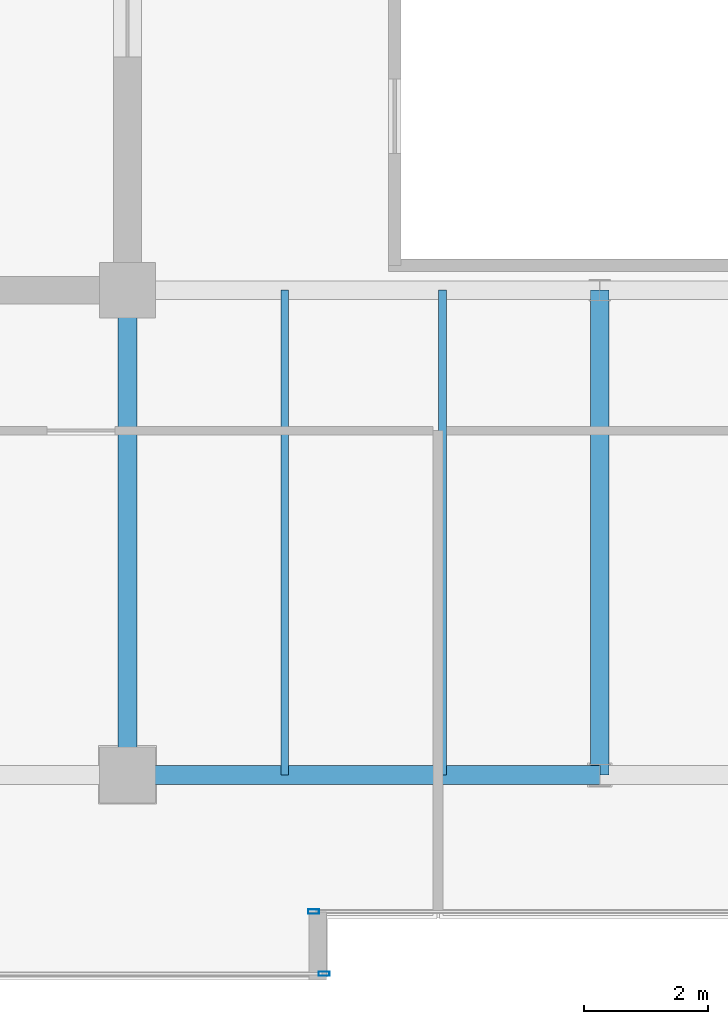
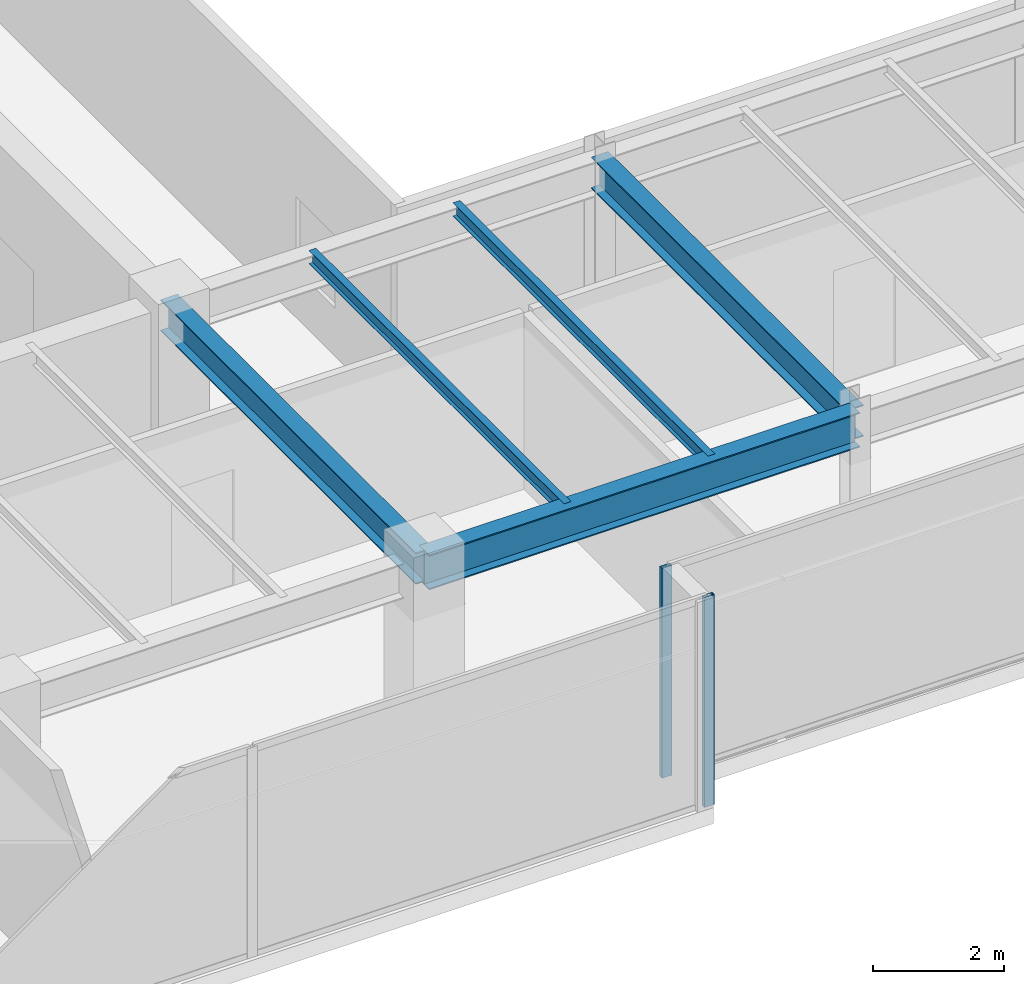
# One storey, part 7 of 34: 5 beams, 2 members, 2 elements without a shape of their own.
"""IFC4 building model written with IfcOpenShell, lengths in metres."""

import ifcopenshell
import ifcopenshell.guid

model = None  # the IFC model being written
_history = None  # IfcOwnerHistory: only IFC2X3 demands one
_inside = {}  # id of a spatial element -> (the spatial element, [elements in it])
_under = {}  # id of a project, library or spatial element -> (it, [spatial elements below it])
_declared = {}  # id of a project -> (the project, [libraries it declares])
_typed = {}  # id of a type object -> (the type object, [elements of that type])
_made_of = {}  # id of a material, layer set ... -> (it, [elements and type objects made of it])


def new_model(schema):
    """Start an empty IFC model of exactly this schema.

    Asked for "IFC4X3", IfcOpenShell would pick the latest addendum, in which some entities
    have other attributes; the version numbers below select the first issue.
    IFC2X3 requires an IfcOwnerHistory on every rooted entity: one is made here for all.
    """
    global model, _history
    if schema == "IFC4X3":
        model = ifcopenshell.file(schema_version=(4, 3, 0, 0))
    else:
        model = ifcopenshell.file(schema=schema)
    _inside.clear()
    _under.clear()
    _declared.clear()
    _typed.clear()
    _made_of.clear()
    _history = None
    if model.schema == "IFC2X3":
        org = make("IfcOrganization", Name="unknown")
        user = make(
            "IfcPersonAndOrganization",
            ThePerson=make("IfcPerson", FamilyName="unknown"),
            TheOrganization=org,
        )
        app = make(
            "IfcApplication",
            ApplicationDeveloper=org,
            Version="unknown",
            ApplicationFullName="unknown",
            ApplicationIdentifier="unknown",
        )
        _history = make(
            "IfcOwnerHistory",
            OwningUser=user,
            OwningApplication=app,
            ChangeAction="ADDED",
            CreationDate=0,
        )
    return model


def make(cls, **values):
    """One entity of the class cls with the attributes given. An attribute that is None is left unset."""
    return model.create_entity(
        cls, **{name: value for name, value in values.items() if value is not None}
    )


def rooted(cls, **values):
    """An entity with a GlobalId (a new one), such as an element, a storey or a relation."""
    return make(cls, GlobalId=ifcopenshell.guid.new(), OwnerHistory=_history, **values)


def si_unit(unit_type, name, prefix=None):
    """IfcSIUnit, for example si_unit("LENGTHUNIT", "METRE", prefix="MILLI")."""
    return make("IfcSIUnit", UnitType=unit_type, Prefix=prefix, Name=name)


def assignment(units):
    """IfcUnitAssignment: the units of a project."""
    return None if units is None else make("IfcUnitAssignment", Units=units)


def point(xyz):
    """IfcCartesianPoint."""
    return None if xyz is None else make("IfcCartesianPoint", Coordinates=xyz)


def direction(xyz):
    """IfcDirection."""
    return None if xyz is None else make("IfcDirection", DirectionRatios=xyz)


def frame(location, z_axis=None, x_axis=None):
    """IfcAxis2Placement3D, a coordinate frame: its origin and axes. An axis left out is left unset."""
    return make(
        "IfcAxis2Placement3D",
        Location=point(location),
        Axis=direction(z_axis),
        RefDirection=direction(x_axis),
    )


def frame_2d(location, x_axis=None):
    """IfcAxis2Placement2D, a coordinate frame in the plane: its origin and x axis."""
    return make(
        "IfcAxis2Placement2D", Location=point(location), RefDirection=direction(x_axis)
    )


def origin():
    """The frame at (0, 0, 0) with its axes left unset."""
    return frame((0.0, 0.0, 0.0))


def origin_2d():
    """The frame at (0, 0) in the plane with its x axis left unset."""
    return frame_2d((0.0, 0.0))


def place(relative_to, where):
    """IfcLocalPlacement: puts the frame where relative to a parent placement (None: the world)."""
    return make(
        "IfcLocalPlacement", PlacementRelTo=relative_to, RelativePlacement=where
    )


def context(
    kind, dimensions, precision=None, world=None, true_north=None, identifier=None
):
    """IfcGeometricRepresentationContext, for example the 3D "Model" context."""
    return make(
        "IfcGeometricRepresentationContext",
        ContextIdentifier=identifier,
        ContextType=kind,
        CoordinateSpaceDimension=dimensions,
        Precision=precision,
        WorldCoordinateSystem=world,
        TrueNorth=true_north,
    )


def subcontext(parent, identifier, kind, view, scale=None):
    """IfcGeometricRepresentationSubContext, for example "Body" below "Model"."""
    return make(
        "IfcGeometricRepresentationSubContext",
        ContextIdentifier=identifier,
        ContextType=kind,
        ParentContext=parent,
        TargetScale=scale,
        TargetView=view,
    )


def project(units=None, contexts=None):
    """IfcProject with its units and contexts."""
    return rooted(
        "IfcProject",
        Name="project",
        RepresentationContexts=contexts,
        UnitsInContext=assignment(units),
    )


def spatial(cls, under=None, at=None, **own):
    """A site, building, storey or space (cls), placed at a placement, below another one or the project."""
    s = rooted(cls, ObjectPlacement=at, **own)
    if under is not None:
        _under.setdefault(under.id(), (under, []))[1].append(s)
    return s


def profile(cls, at=None, kind="AREA", **sizes):
    """A parametric profile (cls). Its sizes go by their IFC names, for example OverallWidth=200.0."""
    return make(cls, ProfileType=kind, Position=at, **sizes)


def hollow_rectangle(**sizes):
    """IfcRectangleHollowProfileDef."""
    return profile("IfcRectangleHollowProfileDef", **sizes)


def i_section(**sizes):
    """IfcIShapeProfileDef."""
    return profile("IfcIShapeProfileDef", **sizes)


def extrude(swept, where, along, depth):
    """IfcExtrudedAreaSolid: the profile swept, set in the frame where, extruded along a direction by depth."""
    return make(
        "IfcExtrudedAreaSolid",
        SweptArea=swept,
        Position=where,
        ExtrudedDirection=direction(along),
        Depth=depth,
    )


def shape(context_of_items, identifier, shape_type, items):
    """IfcShapeRepresentation: the items that make up one representation, for example the "Body"."""
    return make(
        "IfcShapeRepresentation",
        ContextOfItems=context_of_items,
        RepresentationIdentifier=identifier,
        RepresentationType=shape_type,
        Items=items,
    )


def source(mapping_origin, context_of_items, identifier, shape_type, items):
    """IfcRepresentationMap: a shape defined once, which mapped items show again and again."""
    return make(
        "IfcRepresentationMap",
        MappingOrigin=mapping_origin,
        MappedRepresentation=shape(context_of_items, identifier, shape_type, items),
    )


def transform(
    local_origin,
    x_axis=None,
    y_axis=None,
    z_axis=None,
    scale=None,
    scale2=None,
    scale3=None,
    uniform=True,
):
    """IfcCartesianTransformationOperator3D, or its non-uniform kind. x_axis, y_axis, z_axis: its Axis1, 2, 3."""
    if uniform:
        return make(
            "IfcCartesianTransformationOperator3D",
            Axis1=direction(x_axis),
            Axis2=direction(y_axis),
            LocalOrigin=point(local_origin),
            Scale=scale,
            Axis3=direction(z_axis),
        )
    return make(
        "IfcCartesianTransformationOperator3DnonUniform",
        Axis1=direction(x_axis),
        Axis2=direction(y_axis),
        LocalOrigin=point(local_origin),
        Scale=scale,
        Axis3=direction(z_axis),
        Scale2=scale2,
        Scale3=scale3,
    )


def mapped(mapping_source, mapping_target):
    """IfcMappedItem: shows the shape of a source again, moved by a transform."""
    return make(
        "IfcMappedItem", MappingSource=mapping_source, MappingTarget=mapping_target
    )


def material(Name=None, Category=None):
    """IfcMaterial."""
    return make("IfcMaterial", Name=Name, Category=Category)


def layer(
    of_material, thickness, ventilated=None, Name=None, Category=None, Priority=None
):
    """IfcMaterialLayer: one layer of a wall or slab, of a material (None: an air gap)."""
    return make(
        "IfcMaterialLayer",
        Material=of_material,
        LayerThickness=thickness,
        IsVentilated=ventilated,
        Name=Name,
        Category=Category,
        Priority=Priority,
    )


def layer_set(layers, Name=None):
    """IfcMaterialLayerSet."""
    return make("IfcMaterialLayerSet", MaterialLayers=layers, LayerSetName=Name)


def material_profile(
    of_material, cross_section, Name=None, Category=None, Priority=None
):
    """IfcMaterialProfile: a cross section and its material."""
    return make(
        "IfcMaterialProfile",
        Name=Name,
        Material=of_material,
        Profile=cross_section,
        Priority=Priority,
        Category=Category,
    )


def profile_set(profiles, Name=None, composite=None):
    """IfcMaterialProfileSet."""
    return make(
        "IfcMaterialProfileSet",
        Name=Name,
        MaterialProfiles=profiles,
        CompositeProfile=composite,
    )


def made_of(thing, what):
    """Note that an element or type object is made of a material, layer set ...; save() writes the relation."""
    if what is not None:
        _made_of.setdefault(what.id(), (what, []))[1].append(thing)
    return thing


def type_object(cls, material=None, **own):
    """A type object (cls), such as IfcWallType, which elements share."""
    return made_of(rooted(cls, **own), material)


def type_shapes(of_type, sources):
    """Give a type object the sources (RepresentationMaps) that its elements show as mapped items."""
    of_type.RepresentationMaps = sources


def element(
    cls,
    number,
    at=None,
    inside=None,
    cuts=None,
    type_object=None,
    material=None,
    context=None,
    identifier="Body",
    shape_type=None,
    held_by="IfcProductDefinitionShape",
    body=None,
    shapes=None,
    **own,
):
    """One element of the class cls, such as IfcWall. Its Tag is "e" and its number.

    at: its placement. inside: the storey or other place that contains it. cuts: it is an
    opening in that element (IfcRelVoidsElement). A single representation is given by context,
    identifier, shape_type and body (its items); several are given by shapes. held_by: the class
    of the entity that holds the representations. save() writes the other relations.
    """
    e = rooted(cls, Tag="e%d" % number, ObjectPlacement=at, **own)
    if body is not None:
        shapes = [shape(context, identifier, shape_type, body)]
    if shapes is not None:
        e.Representation = make(held_by, Representations=shapes)
    if inside is not None:
        _inside.setdefault(inside.id(), (inside, []))[1].append(e)
    if cuts is not None:
        rooted(
            "IfcRelVoidsElement", RelatingBuildingElement=cuts, RelatedOpeningElement=e
        )
    if type_object is not None:
        _typed.setdefault(type_object.id(), (type_object, []))[1].append(e)
    return made_of(e, material)


def aggregate(whole, parts):
    """IfcRelAggregates: a whole, such as a stair, and the parts it consists of."""
    return rooted("IfcRelAggregates", RelatingObject=whole, RelatedObjects=parts)


def save(model, path):
    """Write the relations noted so far, then the file.

    IfcRelAggregates (storeys below a building ...), IfcRelContainedInSpatialStructure (elements
    in a storey), IfcRelDefinesByType, IfcRelAssociatesMaterial and IfcRelDeclares: one each for
    every whole, place, type object, material and project.
    """
    for whole, parts in _under.values():
        aggregate(whole, parts)
    for where, things in _inside.values():
        rooted(
            "IfcRelContainedInSpatialStructure",
            RelatedElements=things,
            RelatingStructure=where,
        )
    for kind, things in _typed.values():
        rooted("IfcRelDefinesByType", RelatedObjects=things, RelatingType=kind)
    for what, things in _made_of.values():
        rooted("IfcRelAssociatesMaterial", RelatedObjects=things, RelatingMaterial=what)
    for by, libraries in _declared.values():
        rooted("IfcRelDeclares", RelatingContext=by, RelatedDefinitions=libraries)
    model.write(path)


model = new_model("IFC4")

# Units and contexts
model_context = context("Model", 3, precision=1e-05, world=origin(), true_north=direction((0.0, 1.0)))
body_context = subcontext(model_context, "Body", "Model", "MODEL_VIEW")
ifc_project = project(units=[si_unit("LENGTHUNIT", "METRE"), si_unit("AREAUNIT", "SQUARE_METRE"), si_unit("VOLUMEUNIT", "CUBIC_METRE"), si_unit("PLANEANGLEUNIT", "RADIAN"), si_unit("MASSUNIT", "GRAM", prefix="KILO")], contexts=[model_context])

# Site, building, storey
site_placement = place(None, origin())
site = spatial("IfcSite", under=ifc_project, at=site_placement, CompositionType="ELEMENT")
building_placement = place(site_placement, origin())
building = spatial("IfcBuilding", under=site, at=building_placement, Name="Haelvirn Gate Laboratories", CompositionType="ELEMENT")
storey_placement = place(building_placement, frame((0.0, 0.0, 322.800048828125)))
storey = spatial("IfcBuildingStorey", under=building, at=storey_placement, Name="L77", CompositionType="ELEMENT", Elevation=322.800048828125)

# Beams
ifc_material_1 = material(Name="Steel SM355", Category="steel")
ifc_material_profile_1 = material_profile(ifc_material_1, i_section(OverallWidth=0.300048828125, OverallDepth=0.587890625, WebThickness=0.011962890625, FlangeThickness=0.02001953125, at=origin_2d()), Name="H-588x300x12x20")
ifc_profile_set_1 = profile_set([ifc_material_profile_1], Name="Steel SM355")
beam_type_1 = type_object("IfcBeamType", Name="BM-G-588", PredefinedType="BEAM", material=ifc_profile_set_1)
shared_shape_1 = source(origin(), body_context, "Body", "SweptSolid", [
    extrude(i_section(OverallWidth=0.300048828125, OverallDepth=0.587890625, WebThickness=0.011962890625, FlangeThickness=0.02001953125, at=origin_2d()), origin(), (0.0, 0.0, 1.0), 7.800048828125),
])
type_shapes(beam_type_1, [shared_shape_1])
for number, where, z_axis, x_axis, name in (
    (1, (22.199951171875, 7.0, 3.6259765625), (0.0, 1.0, 0.0), (-1.0, 0.0, 0.0), "L77 Frame Girder X22.2 (7.0-14.8)"),
    (2, (29.800048828125, 7.0, 3.6259765625), (0.0, 1.0, 0.0), (-1.0, 0.0, 0.0), "L77 Frame Girder X29.8 (7.0-14.8)"),
):
    element("IfcBeam", number, at=place(storey_placement, frame(where, z_axis=z_axis, x_axis=x_axis)), inside=storey, type_object=beam_type_1, Name=name, PredefinedType="BEAM", context=body_context, shape_type="MappedRepresentation", body=[
        mapped(shared_shape_1, transform((0.0, 0.0, 0.0), scale=1.0)),
    ])
ifc_material_profile_2 = material_profile(ifc_material_1, i_section(OverallWidth=0.300048828125, OverallDepth=0.64990234375, WebThickness=0.012939453125, FlangeThickness=0.02197265625, at=origin_2d()), Name="H-650x300x13x22")
ifc_profile_set_2 = profile_set([ifc_material_profile_2], Name="Steel SM355")
beam_type_2 = type_object("IfcBeamType", Name="BM-G-650", PredefinedType="BEAM", material=ifc_profile_set_2)
shared_shape_2 = source(origin(), body_context, "Body", "SweptSolid", [
    extrude(i_section(OverallWidth=0.300048828125, OverallDepth=0.64990234375, WebThickness=0.012939453125, FlangeThickness=0.02197265625, at=origin_2d()), origin(), (0.0, 0.0, 1.0), 7.60009765625),
])
type_shapes(beam_type_2, [shared_shape_2])
beam_placement = place(storey_placement, frame((22.199951171875, 7.0, 3.594970703125), z_axis=(1.0, 0.0, 0.0), x_axis=(0.0, 1.0, 0.0)))
element("IfcBeam", 3, at=beam_placement, inside=storey, type_object=beam_type_2, Name="L77 Primary Girder Y7.0 (22.2-29.8)", PredefinedType="BEAM", context=body_context, shape_type="MappedRepresentation", body=[
    mapped(shared_shape_2, transform((0.0, 0.0, 0.0), scale=1.0)),
])
ifc_material_profile_3 = material_profile(ifc_material_1, i_section(OverallWidth=0.125, OverallDepth=0.25, WebThickness=0.006103515625, FlangeThickness=0.009033203125, at=origin_2d()), Name="H-250x125x6x9")
ifc_profile_set_3 = profile_set([ifc_material_profile_3], Name="Steel SM355")
beam_type_3 = type_object("IfcBeamType", Name="BM-J-250", PredefinedType="JOIST", material=ifc_profile_set_3)
shared_shape_3 = source(origin(), body_context, "Body", "SweptSolid", [
    extrude(i_section(OverallWidth=0.125, OverallDepth=0.25, WebThickness=0.006103515625, FlangeThickness=0.009033203125, at=origin_2d()), origin(), (0.0, 0.0, 1.0), 7.800048828125),
])
type_shapes(beam_type_3, [shared_shape_3])
for number, where, z_axis, x_axis, name in (
    (4, (24.72998046875, 7.0, 3.794921875), (0.0, 1.0, 0.0), (-1.0, 0.0, 0.0), "L77 Composite Lab Joist South X24.73"),
    (5, (27.27001953125, 7.0, 3.794921875), (0.0, 1.0, 0.0), (-1.0, 0.0, 0.0), "L77 Composite Lab Joist South X27.27"),
):
    element("IfcBeam", number, at=place(storey_placement, frame(where, z_axis=z_axis, x_axis=x_axis)), inside=storey, type_object=beam_type_3, Name=name, PredefinedType="JOIST", context=body_context, shape_type="MappedRepresentation", body=[
        mapped(shared_shape_3, transform((0.0, 0.0, 0.0), scale=1.0)),
    ])

# Curtain wall, member
ifc_material_2 = material(Name="Anodised bronze unitised aluminium & triple low-E glass", Category="aluminium")
ifc_layer = layer(ifc_material_2, 0.176025390625, Name="CW-SYS-4")
ifc_layer_set = layer_set([ifc_layer], Name="Anodised bronze unitised aluminium & triple low-E glass")
curtain_wall_type = type_object("IfcCurtainWallType", Name="CW-SYS-4", PredefinedType="NOTDEFINED", material=ifc_layer_set)
curtain_wall_1_placement = place(storey_placement, origin())
curtain_wall_1 = element("IfcCurtainWall", 6, at=curtain_wall_1_placement, inside=storey, type_object=curtain_wall_type, Name="L77 Unitised Curtain Wall CW-L77-P0-E00-1", PredefinedType="NOTDEFINED")
ifc_material_3 = material(Name="Extruded aluminium 6063-T6 (anodised bronze)", Category="aluminium")
ifc_material_profile_4 = material_profile(ifc_material_3, hollow_rectangle(XDim=0.070068359375, YDim=0.179931640625, WallThickness=0.0048828125, at=origin_2d()), Name="CWM-180x70x5")
ifc_profile_set_4 = profile_set([ifc_material_profile_4], Name="Extruded aluminium 6063-T6 (anodised bronze)")
member_type = type_object("IfcMemberType", Name="CWM-T180", PredefinedType="MULLION", material=ifc_profile_set_4)
shared_shape_4 = source(origin(), body_context, "Body", "SweptSolid", [
    extrude(hollow_rectangle(XDim=0.070068359375, YDim=0.179931640625, WallThickness=0.0048828125, at=origin_2d()), origin(), (0.0, 0.0, 1.0), 3.919921875),
])
type_shapes(member_type, [shared_shape_4])
member_1_placement = place(storey_placement, frame((25.364990234375, 3.800048828125, 0.0), z_axis=(0.0, 0.0, 1.0), x_axis=(0.0, 1.0, 0.0)))
member_1 = element("IfcMember", 7, at=member_1_placement, type_object=member_type, Name="CW4 mullion 3", PredefinedType="MULLION", context=body_context, shape_type="MappedRepresentation", body=[
    mapped(shared_shape_4, transform((0.0, 0.0, 0.0), scale=1.0)),
])
aggregate(curtain_wall_1, [member_1])

curtain_wall_2_placement = place(storey_placement, origin())
curtain_wall_2 = element("IfcCurtainWall", 8, at=curtain_wall_2_placement, inside=storey, type_object=curtain_wall_type, Name="L77 Unitised Curtain Wall CW-L77-P0-E02-1", PredefinedType="NOTDEFINED")
member_2_placement = place(storey_placement, frame((25.195068359375, 4.800048828125, 0.0), z_axis=(0.0, 0.0, 1.0), x_axis=(0.0, 1.0, 0.0)))
member_2 = element("IfcMember", 9, at=member_2_placement, type_object=member_type, Name="CW4 mullion 1", PredefinedType="MULLION", context=body_context, shape_type="MappedRepresentation", body=[
    mapped(shared_shape_4, transform((0.0, 0.0, 0.0), scale=1.0)),
])
aggregate(curtain_wall_2, [member_2])

save(model, "model.ifc")
